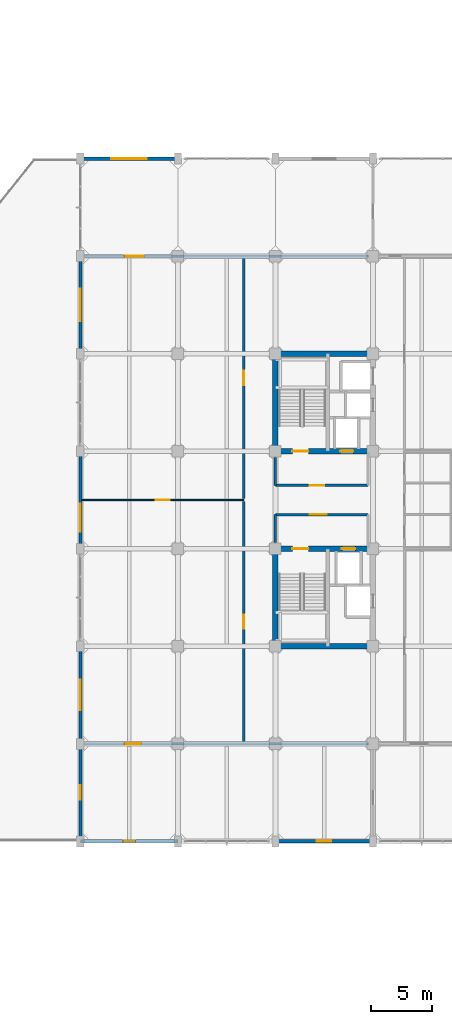
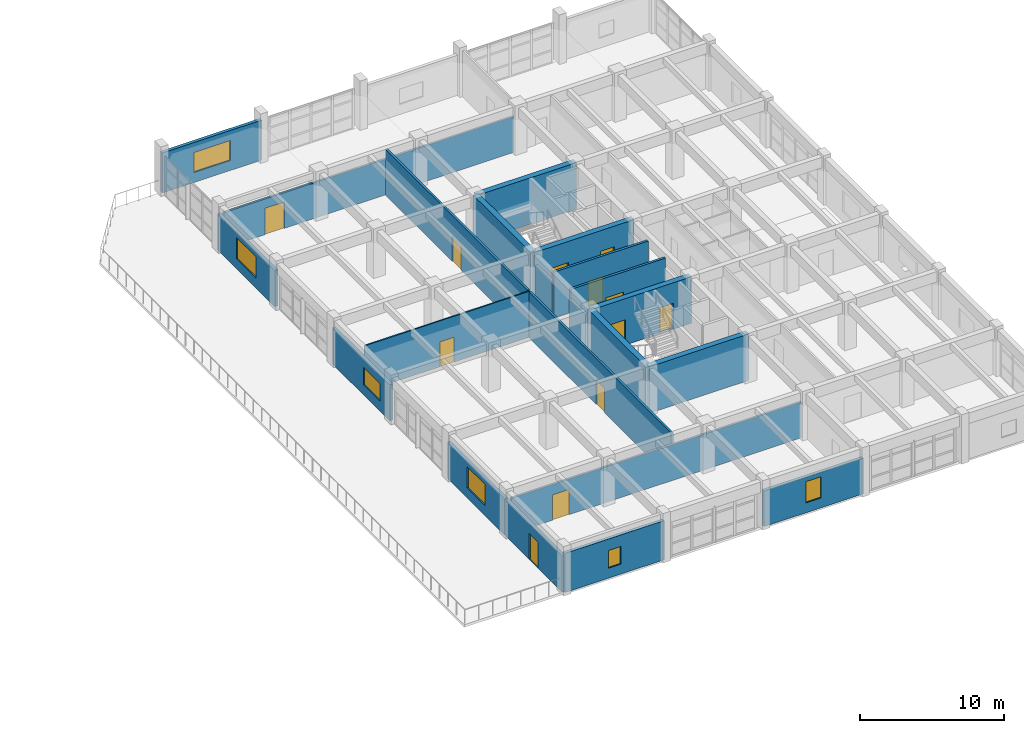
# One storey, part 26 of 35: 22 walls, 12 doors, 6 windows, 18 openings.
"""IFC4 building model written with IfcOpenShell, lengths in metres."""

from ifc_helpers import new_model, si_unit, direction, frame, frame_2d, origin, place, context, subcontext, project, spatial, rectangle, extrude, material, layer, layer_set, type_object, element, fill, save


model = new_model("IFC4")

# Units and contexts
model_context = context("Model", 3, precision=1e-05, world=origin(), true_north=direction((0.0, 1.0)))
body_context = subcontext(model_context, "Body", "Model", "MODEL_VIEW")
ifc_project = project(units=[si_unit("LENGTHUNIT", "METRE"), si_unit("AREAUNIT", "SQUARE_METRE"), si_unit("VOLUMEUNIT", "CUBIC_METRE"), si_unit("PLANEANGLEUNIT", "RADIAN"), si_unit("MASSUNIT", "GRAM", prefix="KILO")], contexts=[model_context])

# Site, building, storey
site_placement = place(None, origin())
site = spatial("IfcSite", under=ifc_project, at=site_placement, CompositionType="ELEMENT")
building_placement = place(site_placement, origin())
building = spatial("IfcBuilding", under=site, at=building_placement, Name="Canggui Botanical Conservatory", CompositionType="ELEMENT")
storey_placement = place(building_placement, frame((0.0, 0.0, 15.0)))
storey = spatial("IfcBuildingStorey", under=building, at=storey_placement, Name="L04", CompositionType="ELEMENT", Elevation=15.0)

# Wall, opening, window
ifc_material_1 = material(Name="Precast Concrete C40", Category="concrete")
ifc_layer_1 = layer(ifc_material_1, 0.260009765625, Name="Precast Concrete C40", Category="concrete")
ifc_layer_set_1 = layer_set([ifc_layer_1], Name="Precast Concrete C40")
wall_type_1 = type_object("IfcWallType", Name="EW-260", PredefinedType="STANDARD", material=ifc_layer_set_1)
wall_1_placement = place(storey_placement, frame((162.0, 26.0, 0.0), z_axis=(0.0, 0.0, 1.0), x_axis=(-1.0, 0.0, 0.0)))
wall_1 = element("IfcWall", 1, at=wall_1_placement, inside=storey, type_object=wall_type_1, Name="Tower Insulated Exterior Wall L04-S3", PredefinedType="STANDARD", context=body_context, shape_type="SweptSolid", body=[
    extrude(rectangle(XDim=8.0, YDim=0.260009765625, at=frame_2d((4.0, 0.0))), origin(), (0.0, 0.0, 1.0), 3.030029296875),
])
opening_1_placement = place(wall_1_placement, frame((3.39990234375, 0.0, 0.85009765625)))
opening_1 = element("IfcOpeningElement", 2, at=opening_1_placement, cuts=wall_1, Name="Opening W-15", PredefinedType="OPENING", context=body_context, shape_type="SweptSolid", body=[
    extrude(rectangle(XDim=1.199951171875, YDim=1.800048828125, at=frame_2d((0.60009765625, 0.89990234375))), frame((0.0, 0.14013671875, 0.0), z_axis=(0.0, -1.0, 0.0), x_axis=(1.0, 0.0, 0.0)), (0.0, 0.0, 1.0), 0.280029296875),
])
ifc_material_2 = material(Name="Low-E Insulated Glass", Category="glass")
window_type_1 = type_object("IfcWindowType", Name="WIN-15", PartitioningType="SINGLE_PANEL", PredefinedType="WINDOW", material=ifc_material_2)
window_1_placement = place(opening_1_placement, origin())
window_1 = element("IfcWindow", 3, at=window_1_placement, inside=storey, type_object=window_type_1, Name="Tower Window L04-3", OverallHeight=1.800048828125, OverallWidth=1.199951171875, PartitioningType="SINGLE_PANEL", PredefinedType="WINDOW", context=body_context, shape_type="SweptSolid", body=[
    extrude(rectangle(XDim=1.199951171875, YDim=1.800048828125, at=frame_2d((0.60009765625, 0.89990234375))), frame((0.0, 0.030029296875, 0.0), z_axis=(0.0, -1.0, 0.0), x_axis=(1.0, 0.0, 0.0)), (0.0, 0.0, 1.0), 0.06005859375),
])
fill(opening_1, window_1)

wall_2_placement = place(storey_placement, frame((146.0, 26.0, 0.0), z_axis=(0.0, 0.0, 1.0), x_axis=(-1.0, 0.0, 0.0)))
wall_2 = element("IfcWall", 4, at=wall_2_placement, inside=storey, type_object=wall_type_1, Name="Tower Insulated Exterior Wall L04-S5", PredefinedType="STANDARD", context=body_context, shape_type="SweptSolid", body=[
    extrude(rectangle(XDim=8.0, YDim=0.260009765625, at=frame_2d((4.0, 0.0))), origin(), (0.0, 0.0, 1.0), 3.330078125),
])
opening_2_placement = place(wall_2_placement, frame((3.5, 0.0, 0.85009765625)))
opening_2 = element("IfcOpeningElement", 5, at=opening_2_placement, cuts=wall_2, Name="Opening W-16", PredefinedType="OPENING", context=body_context, shape_type="SweptSolid", body=[
    extrude(rectangle(XDim=1.0, YDim=1.5, at=frame_2d((0.5, 0.75))), frame((0.0, 0.14013671875, 0.0), z_axis=(0.0, -1.0, 0.0), x_axis=(1.0, 0.0, 0.0)), (0.0, 0.0, 1.0), 0.280029296875),
])
window_type_2 = type_object("IfcWindowType", Name="WIN-16", PartitioningType="SINGLE_PANEL", PredefinedType="WINDOW", material=ifc_material_2)
window_2_placement = place(opening_2_placement, origin())
window_2 = element("IfcWindow", 6, at=window_2_placement, inside=storey, type_object=window_type_2, Name="Tower Window L04-5", OverallHeight=1.5, OverallWidth=1.0, PartitioningType="SINGLE_PANEL", PredefinedType="WINDOW", context=body_context, shape_type="SweptSolid", body=[
    extrude(rectangle(XDim=1.0, YDim=1.5, at=frame_2d((0.5, 0.75))), frame((0.0, 0.030029296875, 0.0), z_axis=(0.0, -1.0, 0.0), x_axis=(1.0, 0.0, 0.0)), (0.0, 0.0, 1.0), 0.06005859375),
])
fill(opening_2, window_2)

# Wall, opening, door
wall_3_placement = place(storey_placement, frame((138.0, 26.0, 0.0), z_axis=(0.0, 0.0, 1.0), x_axis=(0.0, 1.0, 0.0)))
wall_3 = element("IfcWall", 7, at=wall_3_placement, inside=storey, type_object=wall_type_1, Name="Tower Insulated Exterior Wall L04-W6", PredefinedType="STANDARD", context=body_context, shape_type="SweptSolid", body=[
    extrude(rectangle(XDim=8.0, YDim=0.260009765625, at=frame_2d((4.0, 0.0))), origin(), (0.0, 0.0, 1.0), 3.080078125),
])
opening_3_placement = place(wall_3_placement, frame((3.39990234375, 0.0, 0.0)))
opening_3 = element("IfcOpeningElement", 8, at=opening_3_placement, cuts=wall_3, Name="Opening TD-02", PredefinedType="OPENING", context=body_context, shape_type="SweptSolid", body=[
    extrude(rectangle(XDim=1.199951171875, YDim=2.199951171875, at=frame_2d((0.60009765625, 1.10009765625))), frame((0.0, 0.14013671875, 0.0), z_axis=(0.0, -1.0, 0.0), x_axis=(1.0, 0.0, 0.0)), (0.0, 0.0, 1.0), 0.280029296875),
])
ifc_material_3 = material(Name="Anodised Aluminium", Category="aluminium")
door_type_1 = type_object("IfcDoorType", Name="EDR-TER12", OperationType="NOTDEFINED", PredefinedType="DOOR", material=ifc_material_3)
door_1_placement = place(opening_3_placement, origin())
door_1 = element("IfcDoor", 9, at=door_1_placement, inside=storey, type_object=door_type_1, Name="Sky Terrace Access Door L04", OperationType="SINGLE_SWING_RIGHT", OverallHeight=2.199951171875, OverallWidth=1.199951171875, PredefinedType="DOOR", context=body_context, shape_type="SweptSolid", body=[
    extrude(rectangle(XDim=1.199951171875, YDim=2.199951171875, at=frame_2d((0.60009765625, 1.10009765625))), frame((0.0, 0.02490234375, 0.0), z_axis=(0.0, -1.0, 0.0), x_axis=(1.0, 0.0, 0.0)), (0.0, 0.0, 1.0), 0.050048828125),
])
fill(opening_3, door_1)

# Wall, opening, window
wall_4_placement = place(storey_placement, frame((138.0, 34.0, 0.0), z_axis=(0.0, 0.0, 1.0), x_axis=(0.0, 1.0, 0.0)))
wall_4 = element("IfcWall", 10, at=wall_4_placement, inside=storey, type_object=wall_type_1, Name="Tower Insulated Exterior Wall L04-W7", PredefinedType="STANDARD", context=body_context, shape_type="SweptSolid", body=[
    extrude(rectangle(XDim=8.0, YDim=0.260009765625, at=frame_2d((4.0, 0.0))), origin(), (0.0, 0.0, 1.0), 3.080078125),
])
opening_4_placement = place(wall_4_placement, frame((2.75, 0.0, 0.85009765625)))
opening_4 = element("IfcOpeningElement", 11, at=opening_4_placement, cuts=wall_4, Name="Opening W-18", PredefinedType="OPENING", context=body_context, shape_type="SweptSolid", body=[
    extrude(rectangle(XDim=2.5, YDim=1.800048828125, at=frame_2d((1.25, 0.89990234375))), frame((0.0, 0.14013671875, 0.0), z_axis=(0.0, -1.0, 0.0), x_axis=(1.0, 0.0, 0.0)), (0.0, 0.0, 1.0), 0.280029296875),
])
window_type_3 = type_object("IfcWindowType", Name="WIN-18", PartitioningType="DOUBLE_PANEL_VERTICAL", PredefinedType="WINDOW", material=ifc_material_2)
window_3_placement = place(opening_4_placement, origin())
window_3 = element("IfcWindow", 12, at=window_3_placement, inside=storey, type_object=window_type_3, Name="Tower Window L04-7", OverallHeight=1.800048828125, OverallWidth=2.5, PartitioningType="SINGLE_PANEL", PredefinedType="WINDOW", context=body_context, shape_type="SweptSolid", body=[
    extrude(rectangle(XDim=2.5, YDim=1.800048828125, at=frame_2d((1.25, 0.89990234375))), frame((0.0, 0.030029296875, 0.0), z_axis=(0.0, -1.0, 0.0), x_axis=(1.0, 0.0, 0.0)), (0.0, 0.0, 1.0), 0.06005859375),
])
fill(opening_4, window_3)

wall_5_placement = place(storey_placement, frame((138.0, 50.0, 0.0), z_axis=(0.0, 0.0, 1.0), x_axis=(0.0, 1.0, 0.0)))
wall_5 = element("IfcWall", 13, at=wall_5_placement, inside=storey, type_object=wall_type_1, Name="Tower Insulated Exterior Wall L04-W9", PredefinedType="STANDARD", context=body_context, shape_type="SweptSolid", body=[
    extrude(rectangle(XDim=8.0, YDim=0.260009765625, at=frame_2d((4.0, 0.0))), origin(), (0.0, 0.0, 1.0), 3.080078125),
])
opening_5_placement = place(wall_5_placement, frame((1.383056640625, 0.0, 0.85009765625)))
opening_5 = element("IfcOpeningElement", 14, at=opening_5_placement, cuts=wall_5, Name="Opening W-19", PredefinedType="OPENING", context=body_context, shape_type="SweptSolid", body=[
    extrude(rectangle(XDim=2.300048828125, YDim=1.5, at=frame_2d((1.14990234375, 0.75))), frame((0.0, 0.14013671875, 0.0), z_axis=(0.0, -1.0, 0.0), x_axis=(1.0, 0.0, 0.0)), (0.0, 0.0, 1.0), 0.280029296875),
])
window_type_4 = type_object("IfcWindowType", Name="WIN-19", PartitioningType="DOUBLE_PANEL_VERTICAL", PredefinedType="WINDOW", material=ifc_material_2)
window_4_placement = place(opening_5_placement, origin())
window_4 = element("IfcWindow", 15, at=window_4_placement, inside=storey, type_object=window_type_4, Name="Tower Window L04-9", OverallHeight=1.5, OverallWidth=2.300048828125, PartitioningType="SINGLE_PANEL", PredefinedType="WINDOW", context=body_context, shape_type="SweptSolid", body=[
    extrude(rectangle(XDim=2.300048828125, YDim=1.5, at=frame_2d((1.14990234375, 0.75))), frame((0.0, 0.030029296875, 0.0), z_axis=(0.0, -1.0, 0.0), x_axis=(1.0, 0.0, 0.0)), (0.0, 0.0, 1.0), 0.06005859375),
])
fill(opening_5, window_4)

wall_6_placement = place(storey_placement, frame((138.0, 66.0, 0.0), z_axis=(0.0, 0.0, 1.0), x_axis=(0.0, 1.0, 0.0)))
wall_6 = element("IfcWall", 16, at=wall_6_placement, inside=storey, type_object=wall_type_1, Name="Tower Insulated Exterior Wall L04-W11", PredefinedType="STANDARD", context=body_context, shape_type="SweptSolid", body=[
    extrude(rectangle(XDim=8.0, YDim=0.260009765625, at=frame_2d((4.0, 0.0))), origin(), (0.0, 0.0, 1.0), 3.080078125),
])
opening_6_placement = place(wall_6_placement, frame((2.64990234375, 0.0, 0.85009765625)))
opening_6 = element("IfcOpeningElement", 17, at=opening_6_placement, cuts=wall_6, Name="Opening W-20", PredefinedType="OPENING", context=body_context, shape_type="SweptSolid", body=[
    extrude(rectangle(XDim=2.699951171875, YDim=1.800048828125, at=frame_2d((1.35009765625, 0.89990234375))), frame((0.0, 0.14013671875, 0.0), z_axis=(0.0, -1.0, 0.0), x_axis=(1.0, 0.0, 0.0)), (0.0, 0.0, 1.0), 0.280029296875),
])
window_type_5 = type_object("IfcWindowType", Name="WIN-20", PartitioningType="TRIPLE_PANEL_VERTICAL", PredefinedType="WINDOW", material=ifc_material_2)
window_5_placement = place(opening_6_placement, origin())
window_5 = element("IfcWindow", 18, at=window_5_placement, inside=storey, type_object=window_type_5, Name="Tower Window L04-11", OverallHeight=1.800048828125, OverallWidth=2.699951171875, PartitioningType="SINGLE_PANEL", PredefinedType="WINDOW", context=body_context, shape_type="SweptSolid", body=[
    extrude(rectangle(XDim=2.699951171875, YDim=1.800048828125, at=frame_2d((1.35009765625, 0.89990234375))), frame((0.0, 0.030029296875, 0.0), z_axis=(0.0, -1.0, 0.0), x_axis=(1.0, 0.0, 0.0)), (0.0, 0.0, 1.0), 0.06005859375),
])
fill(opening_6, window_5)

wall_7_placement = place(storey_placement, frame((138.0, 82.0, 0.0), z_axis=(0.0, 0.0, 1.0), x_axis=(1.0, 0.0, 0.0)))
wall_7 = element("IfcWall", 19, at=wall_7_placement, inside=storey, type_object=wall_type_1, Name="Tower Insulated Exterior Wall L04-N13", PredefinedType="STANDARD", context=body_context, shape_type="SweptSolid", body=[
    extrude(rectangle(XDim=8.0, YDim=0.260009765625, at=frame_2d((4.0, 0.0))), origin(), (0.0, 0.0, 1.0), 3.39990234375),
])
opening_7_placement = place(wall_7_placement, frame((2.550048828125, 0.0, 0.85009765625)))
opening_7 = element("IfcOpeningElement", 20, at=opening_7_placement, cuts=wall_7, Name="Opening W-21", PredefinedType="OPENING", context=body_context, shape_type="SweptSolid", body=[
    extrude(rectangle(XDim=2.89990234375, YDim=1.699951171875, at=frame_2d((1.449951171875, 0.85009765625))), frame((0.0, 0.14013671875, 0.0), z_axis=(0.0, -1.0, 0.0), x_axis=(1.0, 0.0, 0.0)), (0.0, 0.0, 1.0), 0.280029296875),
])
window_type_6 = type_object("IfcWindowType", Name="WIN-21", PartitioningType="TRIPLE_PANEL_VERTICAL", PredefinedType="WINDOW", material=ifc_material_2)
window_6_placement = place(opening_7_placement, origin())
window_6 = element("IfcWindow", 21, at=window_6_placement, inside=storey, type_object=window_type_6, Name="Tower Window L04-13", OverallHeight=1.699951171875, OverallWidth=2.89990234375, PartitioningType="SINGLE_PANEL", PredefinedType="WINDOW", context=body_context, shape_type="SweptSolid", body=[
    extrude(rectangle(XDim=2.89990234375, YDim=1.699951171875, at=frame_2d((1.449951171875, 0.85009765625))), frame((0.0, 0.030029296875, 0.0), z_axis=(0.0, -1.0, 0.0), x_axis=(1.0, 0.0, 0.0)), (0.0, 0.0, 1.0), 0.06005859375),
])
fill(opening_7, window_6)

# Wall, opening, door
ifc_material_4 = material(Name="Gypsum Plasterboard Partition")
ifc_layer_2 = layer(ifc_material_4, 0.175048828125, Name="Gypsum Plasterboard Partition")
ifc_layer_set_2 = layer_set([ifc_layer_2], Name="Gypsum Plasterboard Partition")
wall_type_2 = type_object("IfcWallType", Name="IW-CORR-175", PredefinedType="STANDARD", material=ifc_layer_set_2)
wall_8_placement = place(storey_placement, frame((151.39990234375, 34.1201171875, 0.0), z_axis=(0.0, 0.0, 1.0), x_axis=(0.0, 1.0, 0.0)))
wall_8 = element("IfcWall", 22, at=wall_8_placement, inside=storey, type_object=wall_type_2, Name="L04 Herbarium Specimen Digitisation Studio Corridor Wall", PredefinedType="STANDARD", context=body_context, shape_type="SweptSolid", body=[
    extrude(rectangle(XDim=19.759765625, YDim=0.175048828125, at=frame_2d((9.8798828125, 0.0))), origin(), (0.0, 0.0, 1.0), 3.89990234375),
])
opening_8_placement = place(wall_8_placement, frame((9.304931640625, 0.0, 0.0)))
opening_8 = element("IfcOpeningElement", 23, at=opening_8_placement, cuts=wall_8, Name="Opening FD-06", PredefinedType="OPENING", context=body_context, shape_type="SweptSolid", body=[
    extrude(rectangle(XDim=1.14990234375, YDim=2.10009765625, at=frame_2d((0.574951171875, 1.050048828125))), frame((0.0, 0.09765625, 0.0), z_axis=(0.0, -1.0, 0.0), x_axis=(1.0, 0.0, 0.0)), (0.0, 0.0, 1.0), 0.195068359375),
])
ifc_material_5 = material(Name="Powder-Coated Steel", Category="steel")
door_type_2 = type_object("IfcDoorType", Name="FD-06", OperationType="NOTDEFINED", PredefinedType="DOOR", material=ifc_material_5)
door_2_placement = place(opening_8_placement, origin())
door_2 = element("IfcDoor", 24, at=door_2_placement, inside=storey, type_object=door_type_2, Name="L04 Herbarium Specimen Digitisation Studio Entrance Door", OperationType="SINGLE_SWING_LEFT", OverallHeight=2.10009765625, OverallWidth=1.14990234375, PredefinedType="DOOR", context=body_context, shape_type="SweptSolid", body=[
    extrude(rectangle(XDim=1.14990234375, YDim=2.10009765625, at=frame_2d((0.574951171875, 1.050048828125))), frame((0.0, 0.02490234375, 0.0), z_axis=(0.0, -1.0, 0.0), x_axis=(1.0, 0.0, 0.0)), (0.0, 0.0, 1.0), 0.050048828125),
])
fill(opening_8, door_2)

wall_9_placement = place(storey_placement, frame((151.39990234375, 54.1201171875, 0.0), z_axis=(0.0, 0.0, 1.0), x_axis=(0.0, 1.0, 0.0)))
wall_9 = element("IfcWall", 25, at=wall_9_placement, inside=storey, type_object=wall_type_2, Name="L04 Floral Morphology Studio Corridor Wall", PredefinedType="STANDARD", context=body_context, shape_type="SweptSolid", body=[
    extrude(rectangle(XDim=19.759765625, YDim=0.175048828125, at=frame_2d((9.8798828125, 0.0))), origin(), (0.0, 0.0, 1.0), 3.89990234375),
])
opening_9_placement = place(wall_9_placement, frame((9.280029296875, 0.0, 0.0)))
opening_9 = element("IfcOpeningElement", 26, at=opening_9_placement, cuts=wall_9, Name="Opening FD-07", PredefinedType="OPENING", context=body_context, shape_type="SweptSolid", body=[
    extrude(rectangle(XDim=1.199951171875, YDim=2.10009765625, at=frame_2d((0.60009765625, 1.050048828125))), frame((0.0, 0.09765625, 0.0), z_axis=(0.0, -1.0, 0.0), x_axis=(1.0, 0.0, 0.0)), (0.0, 0.0, 1.0), 0.195068359375),
])
door_type_3 = type_object("IfcDoorType", Name="FD-07", OperationType="NOTDEFINED", PredefinedType="DOOR", material=ifc_material_5)
door_3_placement = place(opening_9_placement, origin())
door_3 = element("IfcDoor", 27, at=door_3_placement, inside=storey, type_object=door_type_3, Name="L04 Floral Morphology Studio Entrance Door", OperationType="SINGLE_SWING_LEFT", OverallHeight=2.10009765625, OverallWidth=1.199951171875, PredefinedType="DOOR", context=body_context, shape_type="SweptSolid", body=[
    extrude(rectangle(XDim=1.199951171875, YDim=2.10009765625, at=frame_2d((0.60009765625, 1.050048828125))), frame((0.0, 0.02490234375, 0.0), z_axis=(0.0, -1.0, 0.0), x_axis=(1.0, 0.0, 0.0)), (0.0, 0.0, 1.0), 0.050048828125),
])
fill(opening_9, door_3)

wall_10_placement = place(storey_placement, frame((138.35009765625, 34.0, 0.0), z_axis=(0.0, 0.0, 1.0), x_axis=(1.0, 0.0, 0.0)))
wall_10 = element("IfcWall", 28, at=wall_10_placement, inside=storey, type_object=wall_type_2, Name="L04 Herbarium Conservation Laboratory South Suite Wall", PredefinedType="STANDARD", context=body_context, shape_type="SweptSolid", body=[
    extrude(rectangle(XDim=23.2998046875, YDim=0.175048828125, at=frame_2d((11.64990234375, 0.0))), origin(), (0.0, 0.0, 1.0), 3.030029296875),
])
opening_10_placement = place(wall_10_placement, frame((3.300048828125, 0.0, 0.0)))
opening_10 = element("IfcOpeningElement", 29, at=opening_10_placement, cuts=wall_10, Name="Opening FD-10", PredefinedType="OPENING", context=body_context, shape_type="SweptSolid", body=[
    extrude(rectangle(XDim=1.35009765625, YDim=2.14990234375, at=frame_2d((0.675048828125, 1.074951171875))), frame((0.0, 0.09765625, 0.0), z_axis=(0.0, -1.0, 0.0), x_axis=(1.0, 0.0, 0.0)), (0.0, 0.0, 1.0), 0.195068359375),
])
door_type_4 = type_object("IfcDoorType", Name="FD-10", OperationType="NOTDEFINED", PredefinedType="DOOR", material=ifc_material_5)
door_4_placement = place(opening_10_placement, origin())
door_4 = element("IfcDoor", 30, at=door_4_placement, inside=storey, type_object=door_type_4, Name="Interior Door IW-L04-SCOR-1", OperationType="SINGLE_SWING_LEFT", OverallHeight=2.14990234375, OverallWidth=1.35009765625, PredefinedType="DOOR", context=body_context, shape_type="SweptSolid", body=[
    extrude(rectangle(XDim=1.35009765625, YDim=2.14990234375, at=frame_2d((0.675048828125, 1.074951171875))), frame((0.0, 0.02490234375, 0.0), z_axis=(0.0, -1.0, 0.0), x_axis=(1.0, 0.0, 0.0)), (0.0, 0.0, 1.0), 0.050048828125),
])
fill(opening_10, door_4)

wall_11_placement = place(storey_placement, frame((138.35009765625, 74.0, 0.0), z_axis=(0.0, 0.0, 1.0), x_axis=(1.0, 0.0, 0.0)))
wall_11 = element("IfcWall", 31, at=wall_11_placement, inside=storey, type_object=wall_type_2, Name="L04 Palaeobotany Fossil Plant Archive North Suite Wall", PredefinedType="STANDARD", context=body_context, shape_type="SweptSolid", body=[
    extrude(rectangle(XDim=23.2998046875, YDim=0.175048828125, at=frame_2d((11.64990234375, 0.0))), origin(), (0.0, 0.0, 1.0), 3.030029296875),
])
opening_11_placement = place(wall_11_placement, frame((3.300048828125, 0.0, 0.0)))
opening_11 = element("IfcOpeningElement", 32, at=opening_11_placement, cuts=wall_11, Name="Opening FD-14", PredefinedType="OPENING", context=body_context, shape_type="SweptSolid", body=[
    extrude(rectangle(XDim=1.550048828125, YDim=2.25, at=frame_2d((0.77490234375, 1.125))), frame((0.0, 0.09765625, 0.0), z_axis=(0.0, -1.0, 0.0), x_axis=(1.0, 0.0, 0.0)), (0.0, 0.0, 1.0), 0.195068359375),
])
door_type_5 = type_object("IfcDoorType", Name="FD-14", OperationType="NOTDEFINED", PredefinedType="DOOR", material=ifc_material_5)
door_5_placement = place(opening_11_placement, origin())
door_5 = element("IfcDoor", 33, at=door_5_placement, inside=storey, type_object=door_type_5, Name="Interior Door IW-L04-NCOR-1", OperationType="SINGLE_SWING_RIGHT", OverallHeight=2.25, OverallWidth=1.550048828125, PredefinedType="DOOR", context=body_context, shape_type="SweptSolid", body=[
    extrude(rectangle(XDim=1.550048828125, YDim=2.25, at=frame_2d((0.77490234375, 1.125))), frame((0.0, 0.02490234375, 0.0), z_axis=(0.0, -1.0, 0.0), x_axis=(1.0, 0.0, 0.0)), (0.0, 0.0, 1.0), 0.050048828125),
])
fill(opening_11, door_5)

ifc_layer_3 = layer(ifc_material_4, 0.110107421875, Name="Gypsum Plasterboard Partition")
ifc_layer_set_3 = layer_set([ifc_layer_3], Name="Gypsum Plasterboard Partition")
wall_type_3 = type_object("IfcWallType", Name="IW-LIGHT-110", PredefinedType="STANDARD", material=ifc_layer_set_3)
wall_12_placement = place(storey_placement, frame((138.1201171875, 54.0, 0.0), z_axis=(0.0, 0.0, 1.0), x_axis=(1.0, 0.0, 0.0)))
wall_12 = element("IfcWall", 34, at=wall_12_placement, inside=storey, type_object=wall_type_3, Name="L04 Herbarium Specimen Digitisation Studio Cross Partition", PredefinedType="STANDARD", context=body_context, shape_type="SweptSolid", body=[
    extrude(rectangle(XDim=13.27978515625, YDim=0.110107421875, at=frame_2d((6.639892578125, 0.0))), origin(), (0.0, 0.0, 1.0), 3.89990234375),
])
opening_12_placement = place(wall_12_placement, frame((6.080078125, 0.0, 0.0)))
opening_12 = element("IfcOpeningElement", 35, at=opening_12_placement, cuts=wall_12, Name="Opening ID-06", PredefinedType="OPENING", context=body_context, shape_type="SweptSolid", body=[
    extrude(rectangle(XDim=1.1201171875, YDim=2.1201171875, at=frame_2d((0.56005859375, 1.06005859375))), frame((0.0, 0.06494140625, 0.0), z_axis=(0.0, -1.0, 0.0), x_axis=(1.0, 0.0, 0.0)), (0.0, 0.0, 1.0), 0.130126953125),
])
ifc_material_6 = material(Name="Engineered Timber Veneer", Category="wood")
door_type_6 = type_object("IfcDoorType", Name="ID-06", OperationType="NOTDEFINED", PredefinedType="DOOR", material=ifc_material_6)
door_6_placement = place(opening_12_placement, origin())
door_6 = element("IfcDoor", 36, at=door_6_placement, inside=storey, type_object=door_type_6, Name="L04 Herbarium Specimen Digitisation Studio Interconnecting Door", OperationType="SINGLE_SWING_RIGHT", OverallHeight=2.1201171875, OverallWidth=1.1201171875, PredefinedType="DOOR", context=body_context, shape_type="SweptSolid", body=[
    extrude(rectangle(XDim=1.1201171875, YDim=2.1201171875, at=frame_2d((0.56005859375, 1.06005859375))), frame((0.0, 0.02490234375, 0.0), z_axis=(0.0, -1.0, 0.0), x_axis=(1.0, 0.0, 0.0)), (0.0, 0.0, 1.0), 0.050048828125),
])
fill(opening_12, door_6)

ifc_material_7 = material(Name="Concrete C35", Category="concrete")
ifc_layer_4 = layer(ifc_material_7, 0.195068359375, Name="Concrete C35", Category="concrete")
ifc_layer_set_4 = layer_set([ifc_layer_4], Name="Concrete C35")
wall_type_4 = type_object("IfcWallType", Name="IW-LOBBY-195", PredefinedType="STANDARD", material=ifc_layer_set_4)
wall_13_placement = place(storey_placement, frame((154.0, 52.800048828125, 0.0), z_axis=(0.0, 0.0, 1.0), x_axis=(1.0, 0.0, 0.0)))
wall_13 = element("IfcWall", 37, at=wall_13_placement, inside=storey, type_object=wall_type_4, Name="L04 South Firefighting Lift Lobby North Wall", PredefinedType="STANDARD", context=body_context, shape_type="SweptSolid", body=[
    extrude(rectangle(XDim=7.60009765625, YDim=0.195068359375, at=frame_2d((3.800048828125, 0.0))), origin(), (0.0, 0.0, 1.0), 3.89990234375),
])
opening_13_placement = place(wall_13_placement, frame((2.800048828125, 0.0, 0.0)))
opening_13 = element("IfcOpeningElement", 38, at=opening_13_placement, cuts=wall_13, Name="Opening FD-11", PredefinedType="OPENING", context=body_context, shape_type="SweptSolid", body=[
    extrude(rectangle(XDim=1.39990234375, YDim=2.199951171875, at=frame_2d((0.699951171875, 1.10009765625))), frame((0.0, 0.107421875, 0.0), z_axis=(0.0, -1.0, 0.0), x_axis=(1.0, 0.0, 0.0)), (0.0, 0.0, 1.0), 0.215087890625),
])
door_type_7 = type_object("IfcDoorType", Name="FD-11", OperationType="NOTDEFINED", PredefinedType="DOOR", material=ifc_material_5)
door_7_placement = place(opening_13_placement, origin())
door_7 = element("IfcDoor", 39, at=door_7_placement, inside=storey, type_object=door_type_7, Name="L04 South Firefighting Lobby Fire Door", OperationType="SINGLE_SWING_RIGHT", OverallHeight=2.199951171875, OverallWidth=1.39990234375, PredefinedType="DOOR", context=body_context, shape_type="SweptSolid", body=[
    extrude(rectangle(XDim=1.39990234375, YDim=2.199951171875, at=frame_2d((0.699951171875, 1.10009765625))), frame((0.0, 0.02490234375, 0.0), z_axis=(0.0, -1.0, 0.0), x_axis=(1.0, 0.0, 0.0)), (0.0, 0.0, 1.0), 0.050048828125),
])
fill(opening_13, door_7)

# Wall
wall_14_placement = place(storey_placement, frame((154.0, 50.5, 0.0), z_axis=(0.0, 0.0, 1.0), x_axis=(0.0, 1.0, 0.0)))
element("IfcWall", 40, at=wall_14_placement, inside=storey, type_object=wall_type_4, Name="L04 South Firefighting Lift Lobby West Wall", PredefinedType="STANDARD", context=body_context, shape_type="SweptSolid", body=[
    extrude(rectangle(XDim=2.300048828125, YDim=0.195068359375, at=frame_2d((1.14990234375, 0.0))), origin(), (0.0, 0.0, 1.0), 3.080078125),
])

# Wall, opening, door
wall_15_placement = place(storey_placement, frame((154.0, 55.199951171875, 0.0), z_axis=(0.0, 0.0, 1.0), x_axis=(1.0, 0.0, 0.0)))
wall_15 = element("IfcWall", 41, at=wall_15_placement, inside=storey, type_object=wall_type_4, Name="L04 North Firefighting Lift Lobby South Wall", PredefinedType="STANDARD", context=body_context, shape_type="SweptSolid", body=[
    extrude(rectangle(XDim=7.60009765625, YDim=0.195068359375, at=frame_2d((3.800048828125, 0.0))), origin(), (0.0, 0.0, 1.0), 3.89990234375),
])
opening_14_placement = place(wall_15_placement, frame((2.800048828125, 0.0, 0.0)))
opening_14 = element("IfcOpeningElement", 42, at=opening_14_placement, cuts=wall_15, Name="Opening FD-07", PredefinedType="OPENING", context=body_context, shape_type="SweptSolid", body=[
    extrude(rectangle(XDim=1.199951171875, YDim=2.10009765625, at=frame_2d((0.60009765625, 1.050048828125))), frame((0.0, 0.107421875, 0.0), z_axis=(0.0, -1.0, 0.0), x_axis=(1.0, 0.0, 0.0)), (0.0, 0.0, 1.0), 0.215087890625),
])
door_8_placement = place(opening_14_placement, origin())
door_8 = element("IfcDoor", 43, at=door_8_placement, inside=storey, type_object=door_type_3, Name="L04 North Firefighting Lobby Fire Door", OperationType="SINGLE_SWING_LEFT", OverallHeight=2.10009765625, OverallWidth=1.199951171875, PredefinedType="DOOR", context=body_context, shape_type="SweptSolid", body=[
    extrude(rectangle(XDim=1.199951171875, YDim=2.10009765625, at=frame_2d((0.60009765625, 1.050048828125))), frame((0.0, 0.02490234375, 0.0), z_axis=(0.0, -1.0, 0.0), x_axis=(1.0, 0.0, 0.0)), (0.0, 0.0, 1.0), 0.050048828125),
])
fill(opening_14, door_8)

# Walls
wall_16_placement = place(storey_placement, frame((154.0, 55.199951171875, 0.0), z_axis=(0.0, 0.0, 1.0), x_axis=(0.0, 1.0, 0.0)))
element("IfcWall", 44, at=wall_16_placement, inside=storey, type_object=wall_type_4, Name="L04 North Firefighting Lift Lobby West Wall", PredefinedType="STANDARD", context=body_context, shape_type="SweptSolid", body=[
    extrude(rectangle(XDim=2.300048828125, YDim=0.195068359375, at=frame_2d((1.14990234375, 0.0))), origin(), (0.0, 0.0, 1.0), 3.080078125),
])
ifc_material_8 = material(Name="Concrete C50", Category="concrete")
ifc_layer_5 = layer(ifc_material_8, 0.449951171875, Name="Concrete C50", Category="concrete")
ifc_layer_set_5 = layer_set([ifc_layer_5], Name="Concrete C50")
wall_type_5 = type_object("IfcWallType", Name="WALL-SH-450-C50", PredefinedType="SHEAR", material=ifc_layer_set_5)
wall_17_placement = place(storey_placement, frame((154.0, 42.0, 0.0), z_axis=(0.0, 0.0, 1.0), x_axis=(1.0, 0.0, 0.0)))
element("IfcWall", 45, at=wall_17_placement, inside=storey, type_object=wall_type_5, Name="Core T1 Shear Wall L04-S", PredefinedType="SHEAR", context=body_context, shape_type="SweptSolid", body=[
    extrude(rectangle(XDim=8.0, YDim=0.449951171875, at=frame_2d((4.0, 0.0))), origin(), (0.0, 0.0, 1.0), 3.949951171875),
])

# Wall, openings, doors
wall_18_placement = place(storey_placement, frame((162.0, 50.0, 0.0), z_axis=(0.0, 0.0, 1.0), x_axis=(-1.0, 0.0, 0.0)))
wall_18 = element("IfcWall", 46, at=wall_18_placement, inside=storey, type_object=wall_type_5, Name="Core T1 Shear Wall L04-N", PredefinedType="SHEAR", context=body_context, shape_type="SweptSolid", body=[
    extrude(rectangle(XDim=8.0, YDim=0.449951171875, at=frame_2d((4.0, 0.0))), origin(), (0.0, 0.0, 1.0), 3.949951171875),
])
opening_15_placement = place(wall_18_placement, frame((5.300048828125, 0.0, 0.0)))
opening_15 = element("IfcOpeningElement", 47, at=opening_15_placement, cuts=wall_18, Name="Opening FD-09", PredefinedType="OPENING", context=body_context, shape_type="SweptSolid", body=[
    extrude(rectangle(XDim=1.300048828125, YDim=2.14990234375, at=frame_2d((0.64990234375, 1.074951171875))), frame((0.0, 0.23486328125, 0.0), z_axis=(0.0, -1.0, 0.0), x_axis=(1.0, 0.0, 0.0)), (0.0, 0.0, 1.0), 0.469970703125),
])
opening_16_placement = place(wall_18_placement, frame((1.449951171875, 0.0, 0.0)))
opening_16 = element("IfcOpeningElement", 48, at=opening_16_placement, cuts=wall_18, Name="Opening LD-01", PredefinedType="OPENING", context=body_context, shape_type="SweptSolid", body=[
    extrude(rectangle(XDim=1.10009765625, YDim=2.199951171875, at=frame_2d((0.550048828125, 1.10009765625))), frame((0.0, 0.23486328125, 0.0), z_axis=(0.0, -1.0, 0.0), x_axis=(1.0, 0.0, 0.0)), (0.0, 0.0, 1.0), 0.469970703125),
])
door_type_8 = type_object("IfcDoorType", Name="FD-09", OperationType="NOTDEFINED", PredefinedType="DOOR", material=ifc_material_5)
door_9_placement = place(opening_15_placement, origin())
door_9 = element("IfcDoor", 49, at=door_9_placement, inside=storey, type_object=door_type_8, Name="Tower South Smoke-Proof Stair Door L04", OperationType="SINGLE_SWING_LEFT", OverallHeight=2.14990234375, OverallWidth=1.300048828125, PredefinedType="DOOR", context=body_context, shape_type="SweptSolid", body=[
    extrude(rectangle(XDim=1.300048828125, YDim=2.14990234375, at=frame_2d((0.64990234375, 1.074951171875))), frame((0.0, 0.02490234375, 0.0), z_axis=(0.0, -1.0, 0.0), x_axis=(1.0, 0.0, 0.0)), (0.0, 0.0, 1.0), 0.050048828125),
])
fill(opening_15, door_9)
ifc_material_9 = material(Name="Stainless Steel 304", Category="steel")
door_type_9 = type_object("IfcDoorType", Name="LDR-01", OperationType="NOTDEFINED", PredefinedType="DOOR", material=ifc_material_9)
door_10_placement = place(opening_16_placement, origin())
door_10 = element("IfcDoor", 50, at=door_10_placement, inside=storey, type_object=door_type_9, Name="Firefighting Lift FL-01 Landing Door L04", OperationType="SLIDING_TO_LEFT", OverallHeight=2.199951171875, OverallWidth=1.10009765625, PredefinedType="DOOR", context=body_context, shape_type="SweptSolid", body=[
    extrude(rectangle(XDim=1.10009765625, YDim=2.199951171875, at=frame_2d((0.550048828125, 1.10009765625))), frame((0.0, 0.02490234375, 0.0), z_axis=(0.0, -1.0, 0.0), x_axis=(1.0, 0.0, 0.0)), (0.0, 0.0, 1.0), 0.050048828125),
])
fill(opening_16, door_10)

# Wall
wall_19_placement = place(storey_placement, frame((154.0, 50.0, 0.0), z_axis=(0.0, 0.0, 1.0), x_axis=(0.0, -1.0, 0.0)))
element("IfcWall", 51, at=wall_19_placement, inside=storey, type_object=wall_type_5, Name="Core T1 Shear Wall L04-W", PredefinedType="SHEAR", context=body_context, shape_type="SweptSolid", body=[
    extrude(rectangle(XDim=8.0, YDim=0.449951171875, at=frame_2d((4.0, 0.0))), origin(), (0.0, 0.0, 1.0), 3.949951171875),
])

# Wall, openings, doors
wall_20_placement = place(storey_placement, frame((154.0, 58.0, 0.0), z_axis=(0.0, 0.0, 1.0), x_axis=(1.0, 0.0, 0.0)))
wall_20 = element("IfcWall", 52, at=wall_20_placement, inside=storey, type_object=wall_type_5, Name="Core T2 Shear Wall L04-S", PredefinedType="SHEAR", context=body_context, shape_type="SweptSolid", body=[
    extrude(rectangle(XDim=8.0, YDim=0.449951171875, at=frame_2d((4.0, 0.0))), origin(), (0.0, 0.0, 1.0), 3.949951171875),
])
opening_17_placement = place(wall_20_placement, frame((1.39990234375, 0.0, 0.0)))
opening_17 = element("IfcOpeningElement", 53, at=opening_17_placement, cuts=wall_20, Name="Opening FD-09", PredefinedType="OPENING", context=body_context, shape_type="SweptSolid", body=[
    extrude(rectangle(XDim=1.300048828125, YDim=2.14990234375, at=frame_2d((0.64990234375, 1.074951171875))), frame((0.0, 0.23486328125, 0.0), z_axis=(0.0, -1.0, 0.0), x_axis=(1.0, 0.0, 0.0)), (0.0, 0.0, 1.0), 0.469970703125),
])
opening_18_placement = place(wall_20_placement, frame((5.300048828125, 0.0, 0.0)))
opening_18 = element("IfcOpeningElement", 54, at=opening_18_placement, cuts=wall_20, Name="Opening LD-01", PredefinedType="OPENING", context=body_context, shape_type="SweptSolid", body=[
    extrude(rectangle(XDim=1.10009765625, YDim=2.199951171875, at=frame_2d((0.550048828125, 1.10009765625))), frame((0.0, 0.23486328125, 0.0), z_axis=(0.0, -1.0, 0.0), x_axis=(1.0, 0.0, 0.0)), (0.0, 0.0, 1.0), 0.469970703125),
])
door_11_placement = place(opening_17_placement, origin())
door_11 = element("IfcDoor", 55, at=door_11_placement, inside=storey, type_object=door_type_8, Name="Tower North Smoke-Proof Stair Door L04", OperationType="SINGLE_SWING_RIGHT", OverallHeight=2.14990234375, OverallWidth=1.300048828125, PredefinedType="DOOR", context=body_context, shape_type="SweptSolid", body=[
    extrude(rectangle(XDim=1.300048828125, YDim=2.14990234375, at=frame_2d((0.64990234375, 1.074951171875))), frame((0.0, 0.02490234375, 0.0), z_axis=(0.0, -1.0, 0.0), x_axis=(1.0, 0.0, 0.0)), (0.0, 0.0, 1.0), 0.050048828125),
])
fill(opening_17, door_11)
door_12_placement = place(opening_18_placement, origin())
door_12 = element("IfcDoor", 56, at=door_12_placement, inside=storey, type_object=door_type_9, Name="Firefighting Lift FL-02 Landing Door L04", OperationType="SLIDING_TO_RIGHT", OverallHeight=2.199951171875, OverallWidth=1.10009765625, PredefinedType="DOOR", context=body_context, shape_type="SweptSolid", body=[
    extrude(rectangle(XDim=1.10009765625, YDim=2.199951171875, at=frame_2d((0.550048828125, 1.10009765625))), frame((0.0, 0.02490234375, 0.0), z_axis=(0.0, -1.0, 0.0), x_axis=(1.0, 0.0, 0.0)), (0.0, 0.0, 1.0), 0.050048828125),
])
fill(opening_18, door_12)

# Walls
for number, where, z_axis, x_axis, name in (
    (57, (162.0, 66.0, 0.0), (0.0, 0.0, 1.0), (-1.0, 0.0, 0.0), "Core T2 Shear Wall L04-N"),
    (58, (154.0, 66.0, 0.0), (0.0, 0.0, 1.0), (0.0, -1.0, 0.0), "Core T2 Shear Wall L04-W"),
):
    element("IfcWall", number, at=place(storey_placement, frame(where, z_axis=z_axis, x_axis=x_axis)), inside=storey, type_object=wall_type_5, Name=name, PredefinedType="SHEAR", context=body_context, shape_type="SweptSolid", body=[
        extrude(rectangle(XDim=8.0, YDim=0.449951171875, at=frame_2d((4.0, 0.0))), origin(), (0.0, 0.0, 1.0), 3.949951171875),
    ])

save(model, "model.ifc")
